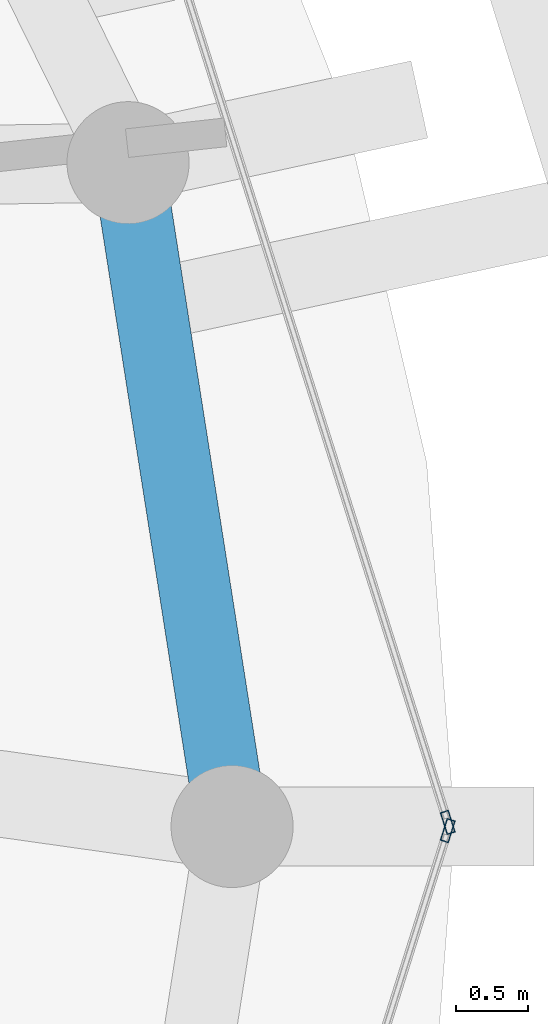
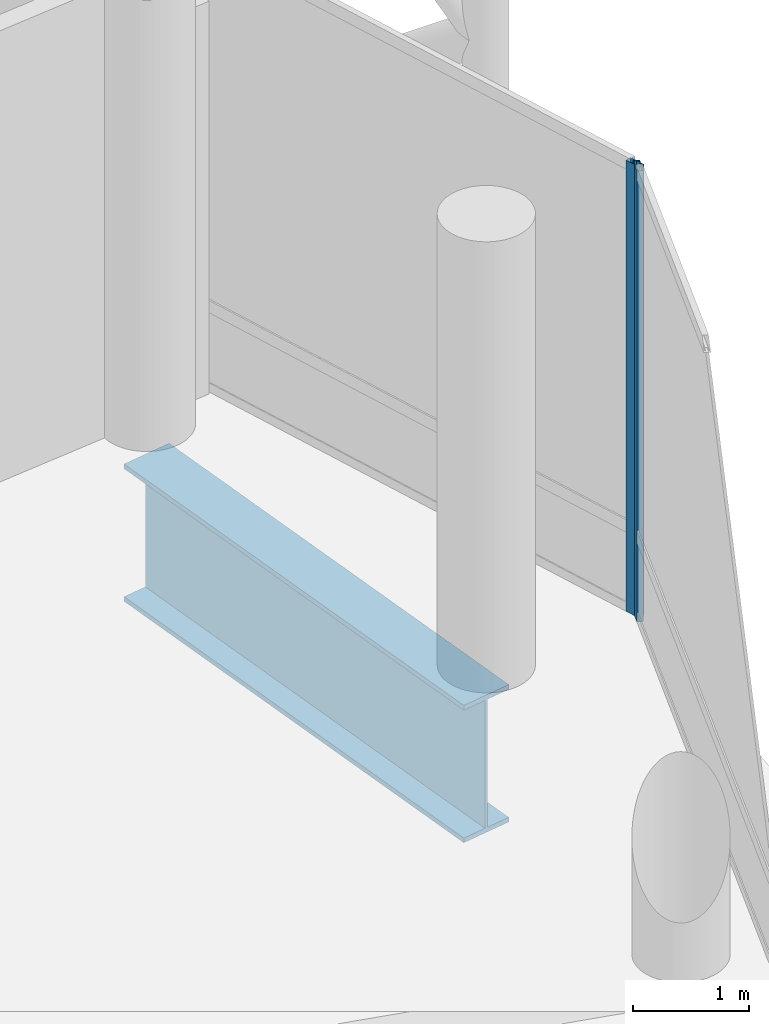
# One storey, part 14 of 31: 2 members, 1 beam, 2 elements without a shape of their own.
"""IFC4 building model written with IfcOpenShell, lengths in metres."""

from ifc_helpers import new_model, si_unit, direction, frame, origin, origin_2d, place, context, subcontext, project, spatial, hollow_rectangle, i_section, extrude, material, layer, layer_set, material_profile, profile_set, type_object, element, aggregate, save


model = new_model("IFC4")

# Units and contexts
model_context = context("Model", 3, precision=1e-05, world=origin(), true_north=direction((0.0, 1.0)))
body_context = subcontext(model_context, "Body", "Model", "MODEL_VIEW")
ifc_project = project(units=[si_unit("LENGTHUNIT", "METRE"), si_unit("AREAUNIT", "SQUARE_METRE"), si_unit("VOLUMEUNIT", "CUBIC_METRE"), si_unit("PLANEANGLEUNIT", "RADIAN"), si_unit("MASSUNIT", "GRAM", prefix="KILO")], contexts=[model_context])

# Site, building, storey
site_placement = place(None, origin())
site = spatial("IfcSite", under=ifc_project, at=site_placement, CompositionType="ELEMENT")
building_placement = place(site_placement, origin())
building = spatial("IfcBuilding", under=site, at=building_placement, Name="Nuhasar Tower", CompositionType="ELEMENT")
storey_placement = place(building_placement, frame((0.0, 0.0, 203.14990234375)))
storey = spatial("IfcBuildingStorey", under=building, at=storey_placement, Name="L49", CompositionType="ELEMENT", Elevation=203.14990234375)

# Beam
ifc_material_1 = material(Name="Steel S460", Category="steel")
ifc_material_profile_1 = material_profile(ifc_material_1, i_section(OverallWidth=0.5, OverallDepth=1.449951171875, WebThickness=0.028076171875, FlangeThickness=0.050048828125, at=origin_2d()), Name="PG1450X500")
ifc_profile_set_1 = profile_set([ifc_material_profile_1], Name="Steel S460")
beam_type = type_object("IfcBeamType", Name="BM-XFER-PG1450", PredefinedType="USERDEFINED", material=ifc_profile_set_1)
beam_placement = place(storey_placement, frame((60.25, 26.800048828125, -1.044921875), z_axis=(-0.154849872935, 0.987938012657, 0.0), x_axis=(-0.987938012657, -0.154849872935, 0.0)))
element("IfcBeam", 1, at=beam_placement, inside=storey, type_object=beam_type, Name="L49 Perimeter Ring Spandrel 01", ObjectType="GIRDER", PredefinedType="USERDEFINED", context=body_context, shape_type="SweptSolid", body=[
    extrude(i_section(OverallWidth=0.5, OverallDepth=1.449951171875, WebThickness=0.028076171875, FlangeThickness=0.050048828125, at=origin_2d()), origin(), (0.0, 0.0, 1.0), 4.67626953125),
])

# Curtain wall, member
ifc_material_2 = material(Name="Aluminium 6063-T6", Category="aluminium")
ifc_layer = layer(ifc_material_2, 0.239990234375)
ifc_layer_set = layer_set([ifc_layer], Name="Aluminium 6063-T6")
curtain_wall_type = type_object("IfcCurtainWallType", Name="CW-SKY-LBY", PredefinedType="NOTDEFINED", material=ifc_layer_set)
curtain_wall_1_placement = place(storey_placement, origin())
curtain_wall_1 = element("IfcCurtainWall", 2, at=curtain_wall_1_placement, inside=storey, type_object=curtain_wall_type, Name="L49 Unitised Curtain Wall 01", PredefinedType="NOTDEFINED")
ifc_material_profile_2 = material_profile(ifc_material_2, hollow_rectangle(XDim=0.06005859375, YDim=0.159912109375, WallThickness=0.0048828125, at=origin_2d()), Name="CWM-6")
ifc_profile_set_2 = profile_set([ifc_material_profile_2], Name="Aluminium 6063-T6")
member_type = type_object("IfcMemberType", Name="CW-MUL-S6", PredefinedType="MULLION", material=ifc_profile_set_2)
member_1_placement = place(storey_placement, frame((61.7509765625, 26.82861328125, 0.0), z_axis=(0.0, 0.0, 1.0), x_axis=(-0.95380429279, -0.30042864553, 0.0)))
member_1 = element("IfcMember", 3, at=member_1_placement, type_object=member_type, Name="CW-SL mullion 1", PredefinedType="MULLION", context=body_context, shape_type="SweptSolid", body=[
    extrude(hollow_rectangle(XDim=0.06005859375, YDim=0.159912109375, WallThickness=0.0048828125, at=origin_2d()), origin(), (0.0, 0.0, 1.0), 4.760009765625),
])
aggregate(curtain_wall_1, [member_1])

curtain_wall_2_placement = place(storey_placement, origin())
curtain_wall_2 = element("IfcCurtainWall", 4, at=curtain_wall_2_placement, inside=storey, type_object=curtain_wall_type, Name="L49 Unitised Curtain Wall 12", PredefinedType="NOTDEFINED")
member_2_placement = place(storey_placement, frame((61.7509765625, 26.771484375, 0.0), z_axis=(0.0, 0.0, 1.0), x_axis=(-0.95380429279, 0.30042864553, 0.0)))
member_2 = element("IfcMember", 5, at=member_2_placement, type_object=member_type, Name="CW-SL mullion 2", PredefinedType="MULLION", context=body_context, shape_type="SweptSolid", body=[
    extrude(hollow_rectangle(XDim=0.06005859375, YDim=0.159912109375, WallThickness=0.0048828125, at=origin_2d()), origin(), (0.0, 0.0, 1.0), 4.760009765625),
])
aggregate(curtain_wall_2, [member_2])

save(model, "model.ifc")
